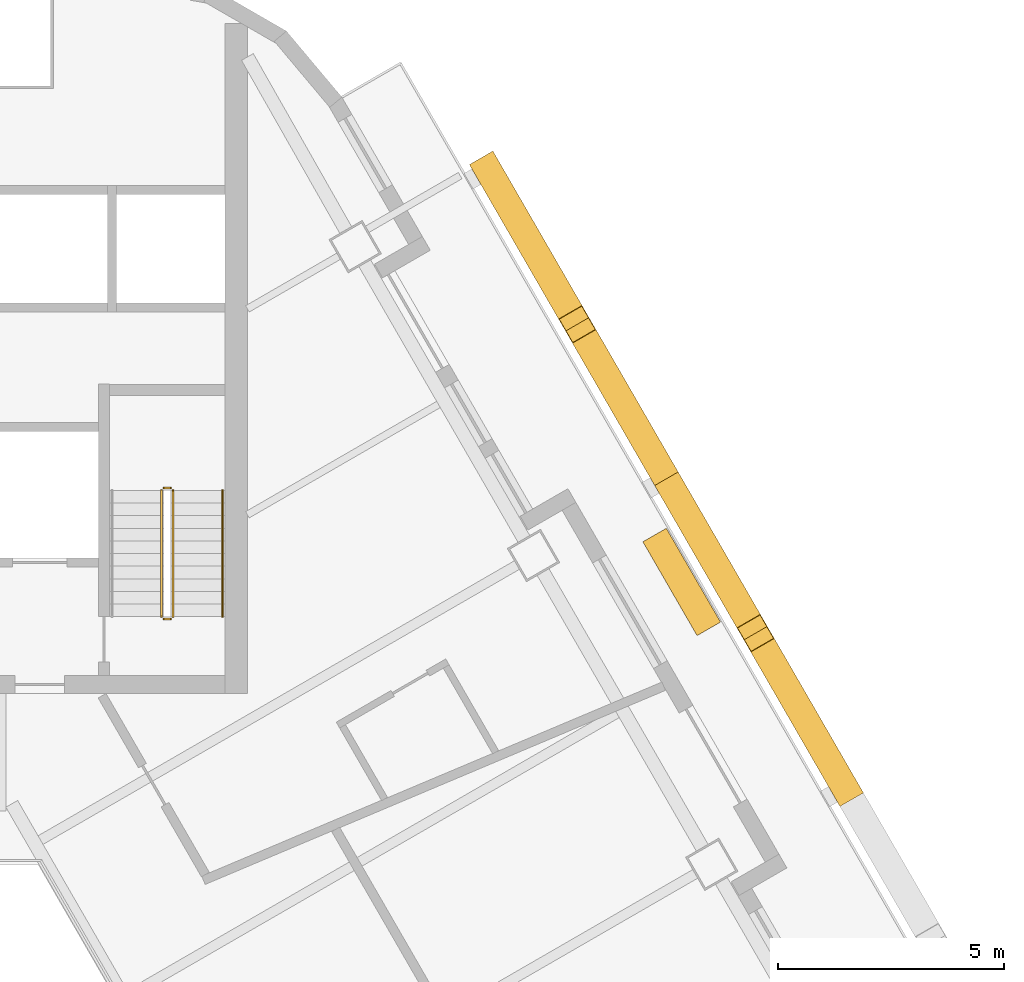
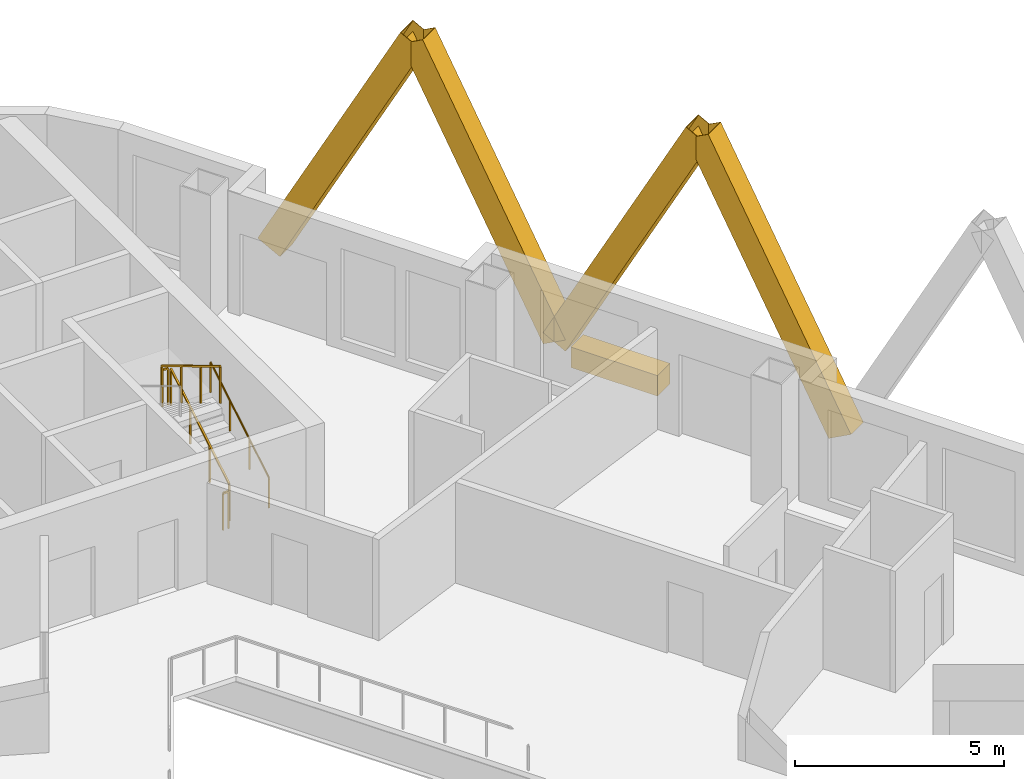
# One storey, part 13 of 13: 5 railings, 4 shading devices, 1 covering.
"""IFC4 building model written with IfcOpenShell, lengths in metres."""

from ifc_helpers import new_model, si_unit, direction, frame, origin, origin_2d, place, context, subcontext, project, spatial, rectangle, hollow_rectangle, circle, extrude, material, material_profile, profile_set, type_object, element, save


model = new_model("IFC4")

# Units and contexts
model_context = context("Model", 3, precision=1e-05, world=origin(), true_north=direction((0.0, 1.0)))
body_context = subcontext(model_context, "Body", "Model", "MODEL_VIEW")
ifc_project = project(units=[si_unit("LENGTHUNIT", "METRE"), si_unit("AREAUNIT", "SQUARE_METRE"), si_unit("VOLUMEUNIT", "CUBIC_METRE"), si_unit("PLANEANGLEUNIT", "RADIAN"), si_unit("MASSUNIT", "GRAM", prefix="KILO")], contexts=[model_context])

# Site, building, storey
site_placement = place(None, origin())
site = spatial("IfcSite", under=ifc_project, at=site_placement, CompositionType="ELEMENT")
building_placement = place(site_placement, origin())
building = spatial("IfcBuilding", under=site, at=building_placement, Name="Apuvela Tower Hotel", CompositionType="ELEMENT")
storey_placement = place(building_placement, frame((0.0, 0.0, 161.39990234375)))
storey = spatial("IfcBuildingStorey", under=building, at=storey_placement, Name="L38", CompositionType="ELEMENT", Elevation=161.39990234375)

# Railings
ifc_material_1 = material(Name="Steel S275 balustrade", Category="steel")
railing_type_1 = type_object("IfcRailingType", Name="COR-GUARD-1100", PredefinedType="GUARDRAIL", material=ifc_material_1)
railing_1_placement = place(storey_placement, frame((3.85009765625, 14.60009765625, 0.168212890625)))
element("IfcRailing", 1, at=railing_1_placement, inside=storey, type_object=railing_type_1, Name="L38 ST1 stair guard 1", PredefinedType="GUARDRAIL", context=body_context, shape_type="SweptSolid", body=[
    extrude(rectangle(XDim=0.048095703125, YDim=0.048095703125, at=origin_2d()), frame((0.0, 0.0, 1.076171875), z_axis=(0.0, 0.857222391501, 0.514946377315), x_axis=(-1.0, 0.0, 0.0)), (0.0, 0.0, 1.0), 3.26611328125),
    extrude(rectangle(XDim=0.0419921875, YDim=0.0419921875, at=origin_2d()), origin(), (0.0, 0.0, 1.0), 1.052001953125),
    extrude(rectangle(XDim=0.0419921875, YDim=0.0419921875, at=origin_2d()), frame((0.0, 0.933349609375, 0.560546875)), (0.0, 0.0, 1.0), 1.052001953125),
    extrude(rectangle(XDim=0.0419921875, YDim=0.0419921875, at=origin_2d()), frame((0.0, 1.866455078125, 1.121337890625)), (0.0, 0.0, 1.0), 1.052001953125),
    extrude(rectangle(XDim=0.0419921875, YDim=0.0419921875, at=origin_2d()), frame((0.0, 2.7998046875, 1.681884765625)), (0.0, 0.0, 1.0), 1.052001953125),
])
railing_2_placement = place(storey_placement, frame((3.800048828125, 17.449951171875, 1.85009765625)))
element("IfcRailing", 2, at=railing_2_placement, inside=storey, type_object=railing_type_1, Name="L38 ST1 stair guard 2", PredefinedType="GUARDRAIL", context=body_context, shape_type="SweptSolid", body=[
    extrude(rectangle(XDim=0.048095703125, YDim=0.048095703125, at=origin_2d()), frame((0.0, 0.0, 1.076171875), z_axis=(-1.0, 0.0, 0.0), x_axis=(0.0, -1.0, 0.0)), (0.0, 0.0, 1.0), 0.150146484375),
    extrude(rectangle(XDim=0.0419921875, YDim=0.0419921875, at=origin_2d()), origin(), (0.0, 0.0, 1.0), 1.052001953125),
    extrude(rectangle(XDim=0.0419921875, YDim=0.0419921875, at=origin_2d()), frame((-0.150146484375, 0.0, 0.0)), (0.0, 0.0, 1.0), 1.052001953125),
])
railing_3_placement = place(storey_placement, frame((3.60009765625, 17.39990234375, 2.018310546875)))
element("IfcRailing", 3, at=railing_3_placement, inside=storey, type_object=railing_type_1, Name="L38 ST1 stair guard 3", PredefinedType="GUARDRAIL", context=body_context, shape_type="SweptSolid", body=[
    extrude(rectangle(XDim=0.048095703125, YDim=0.048095703125, at=origin_2d()), frame((0.0, 0.0, 1.076171875), z_axis=(0.0, -0.857222391501, 0.514946377315), x_axis=(1.0, 0.0, 0.0)), (0.0, 0.0, 1.0), 3.26611328125),
    extrude(rectangle(XDim=0.0419921875, YDim=0.0419921875, at=origin_2d()), origin(), (0.0, 0.0, 1.0), 1.052001953125),
    extrude(rectangle(XDim=0.0419921875, YDim=0.0419921875, at=origin_2d()), frame((0.0, -0.933349609375, 0.560546875)), (0.0, 0.0, 1.0), 1.052001953125),
    extrude(rectangle(XDim=0.0419921875, YDim=0.0419921875, at=origin_2d()), frame((0.0, -1.866455078125, 1.121337890625)), (0.0, 0.0, 1.0), 1.052001953125),
    extrude(rectangle(XDim=0.0419921875, YDim=0.0419921875, at=origin_2d()), frame((0.0, -2.7998046875, 1.681884765625)), (0.0, 0.0, 1.0), 1.052001953125),
])
railing_4_placement = place(storey_placement, frame((3.800048828125, 14.550048828125, 0.0)))
element("IfcRailing", 4, at=railing_4_placement, inside=storey, type_object=railing_type_1, Name="L38 ST1 stair guard 4", PredefinedType="GUARDRAIL", context=body_context, shape_type="SweptSolid", body=[
    extrude(rectangle(XDim=0.048095703125, YDim=0.048095703125, at=origin_2d()), frame((0.0, 0.0, 1.076171875), z_axis=(-1.0, 0.0, 0.0), x_axis=(0.0, -1.0, 0.0)), (0.0, 0.0, 1.0), 0.150146484375),
    extrude(rectangle(XDim=0.0419921875, YDim=0.0419921875, at=origin_2d()), origin(), (0.0, 0.0, 1.0), 1.052001953125),
    extrude(rectangle(XDim=0.0419921875, YDim=0.0419921875, at=origin_2d()), frame((-0.150146484375, 0.0, 0.0)), (0.0, 0.0, 1.0), 1.052001953125),
])
ifc_material_2 = material(Name="Stainless steel 316 handrail", Category="steel")
railing_type_2 = type_object("IfcRailingType", Name="COR-HANDRAIL-900", PredefinedType="HANDRAIL", material=ifc_material_2)
railing_5_placement = place(storey_placement, frame((4.949951171875, 14.60009765625, 0.168212890625)))
element("IfcRailing", 5, at=railing_5_placement, inside=storey, type_object=railing_type_2, Name="L38 ST1 stair handrail 1", PredefinedType="HANDRAIL", context=body_context, shape_type="SweptSolid", body=[
    extrude(circle(Radius=0.02392578125, at=origin_2d()), frame((0.0, 0.0, 0.8759765625), z_axis=(0.0, 0.857222391501, 0.514946377315), x_axis=(-1.0, 0.0, 0.0)), (0.0, 0.0, 1.0), 3.26611328125),
    extrude(rectangle(XDim=0.0419921875, YDim=0.0419921875, at=origin_2d()), origin(), (0.0, 0.0, 1.0), 0.851806640625),
    extrude(rectangle(XDim=0.0419921875, YDim=0.0419921875, at=origin_2d()), frame((0.0, 0.933349609375, 0.560546875)), (0.0, 0.0, 1.0), 0.851806640625),
    extrude(rectangle(XDim=0.0419921875, YDim=0.0419921875, at=origin_2d()), frame((0.0, 1.866455078125, 1.121337890625)), (0.0, 0.0, 1.0), 0.851806640625),
    extrude(rectangle(XDim=0.0419921875, YDim=0.0419921875, at=origin_2d()), frame((0.0, 2.7998046875, 1.681884765625)), (0.0, 0.0, 1.0), 0.851806640625),
])

# Shading devices
ifc_material_3 = material(Name="Aluminium 6063-T6, black anodised", Category="aluminium")
ifc_material_profile = material_profile(ifc_material_3, hollow_rectangle(XDim=0.60009765625, YDim=0.699951171875, WallThickness=0.011962890625, at=origin_2d()), Name="AL BOX 700x600x12")
ifc_profile_set = profile_set([ifc_material_profile], Name="Aluminium 6063-T6, black anodised")
shading_device_type = type_object("IfcShadingDeviceType", Name="ENV-FIN-700x600", PredefinedType="USERDEFINED", material=ifc_profile_set)
for number, where, z_axis, x_axis, name in (
    (6, (18.732177734375, 10.81494140625, -0.099853515625), (-0.235461085354, 0.407822092458, 0.882178677019), (-0.866020906874, -0.500007788796, 0.0), "Lattice fin NE357"),
    (7, (14.781982421875, 17.656494140625, -0.099853515625), (0.235463880167, -0.407797827568, 0.882189148067), (0.866005453737, 0.500034552904, 0.0), "Lattice fin NE358"),
    (8, (14.781982421875, 17.656494140625, -0.099853515625), (-0.235433593518, 0.407824887177, 0.882184722404), (-0.866047669374, -0.499961432884, 0.0), "Lattice fin NE359"),
    (9, (10.83203125, 24.498291015625, -0.099853515625), (0.235461085354, -0.407822092458, 0.882178677019), (0.866020906874, 0.500007788796, 0.0), "Lattice fin NE360"),
):
    element("IfcShadingDevice", number, at=place(storey_placement, frame(where, z_axis=z_axis, x_axis=x_axis)), inside=storey, type_object=shading_device_type, Name=name, ObjectType="FIN", PredefinedType="USERDEFINED", context=body_context, shape_type="SweptSolid", body=[
        extrude(hollow_rectangle(XDim=0.60009765625, YDim=0.699951171875, WallThickness=0.011962890625, at=origin_2d()), origin(), (0.0, 0.0, 1.0), 8.38818359375),
    ])

# Covering
ifc_material_4 = material(Name="Planting substrate and soil, planted")
covering_type = type_object("IfcCoveringType", Name="ENV-PLANTER-2400x600", PredefinedType="USERDEFINED", material=ifc_material_4)
covering_placement = place(storey_placement, frame((15.12060546875, 15.37060546875, 0.0), z_axis=(0.0, 0.0, 1.0), x_axis=(-0.5, 0.866025403784, 0.0)))
element("IfcCovering", 10, at=covering_placement, inside=storey, type_object=covering_type, Name="Planter NE3", ObjectType="PLANTER", PredefinedType="USERDEFINED", context=body_context, shape_type="SweptSolid", body=[
    extrude(rectangle(XDim=2.39990234375, YDim=0.60009765625, at=origin_2d()), origin(), (0.0, 0.0, 1.0), 0.60009765625),
])

save(model, "model.ifc")
